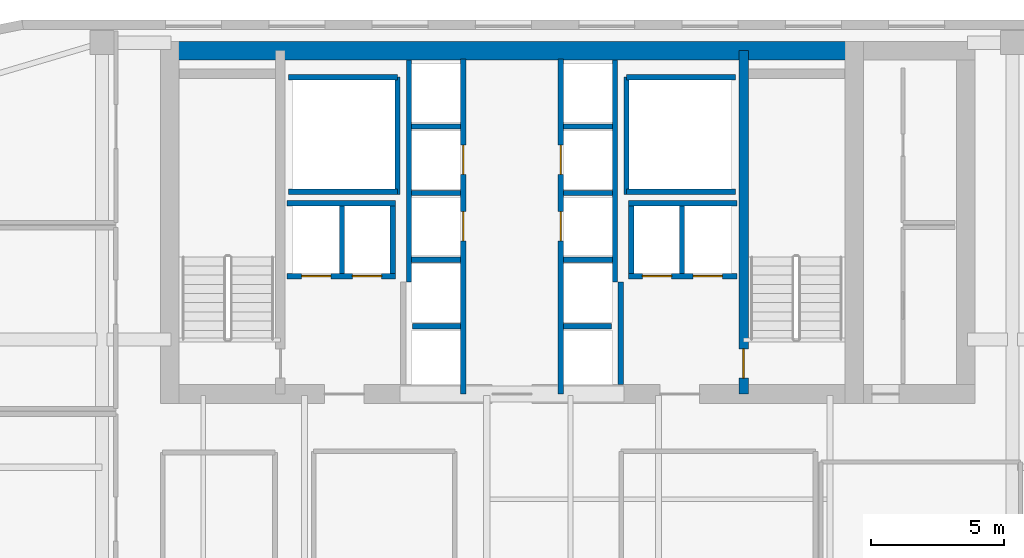
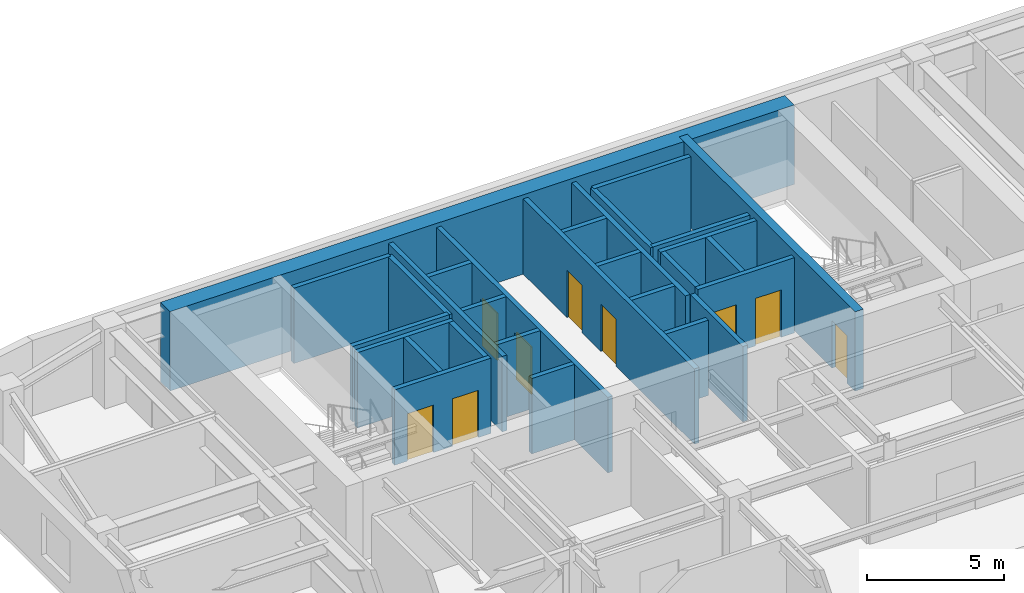
# One storey, part 14 of 17: 29 walls, 9 doors, 9 openings.
"""IFC4 building model written with IfcOpenShell, lengths in metres."""

from ifc_helpers import new_model, si_unit, direction, frame, frame_2d, origin, place, context, subcontext, project, spatial, rectangle, extrude, source, transform, mapped, material, layer, layer_set, type_object, type_shapes, element, fill, save


model = new_model("IFC4")

# Units and contexts
model_context = context("Model", 3, precision=1e-05, world=origin(), true_north=direction((0.0, 1.0)))
body_context = subcontext(model_context, "Body", "Model", "MODEL_VIEW")
ifc_project = project(units=[si_unit("LENGTHUNIT", "METRE"), si_unit("AREAUNIT", "SQUARE_METRE"), si_unit("VOLUMEUNIT", "CUBIC_METRE"), si_unit("PLANEANGLEUNIT", "RADIAN"), si_unit("MASSUNIT", "GRAM", prefix="KILO")], contexts=[model_context])

# Site, building, storey
site_placement = place(None, origin())
site = spatial("IfcSite", under=ifc_project, at=site_placement, CompositionType="ELEMENT")
building_placement = place(site_placement, origin())
building = spatial("IfcBuilding", under=site, at=building_placement, Name="Tolvann Quenvar Hotel", CompositionType="ELEMENT")
storey_placement = place(building_placement, frame((0.0, 0.0, 108.0)))
storey = spatial("IfcBuildingStorey", under=building, at=storey_placement, Name="L27", CompositionType="ELEMENT", Elevation=108.0)

# Wall
ifc_material_1 = material(Name="Concrete S65 (65 MPa)", Category="concrete")
ifc_layer_1 = layer(ifc_material_1, 0.699951171875)
ifc_layer_set_1 = layer_set([ifc_layer_1], Name="Concrete S65 (65 MPa)")
wall_type_1 = type_object("IfcWallType", Name="WALL_CORE_700", PredefinedType="SHEAR", material=ifc_layer_set_1)
wall_1_placement = place(storey_placement, frame((9.800048828125, 44.85009765625, 0.0), z_axis=(0.0, 0.0, 1.0), x_axis=(1.0, 0.0, 0.0)))
element("IfcWall", 1, at=wall_1_placement, inside=storey, type_object=wall_type_1, Name="Rear Core N Shear Wall (L27)", PredefinedType="SHEAR", context=body_context, shape_type="SweptSolid", body=[
    extrude(rectangle(XDim=26.39990234375, YDim=0.699951171875, at=frame_2d((13.199951171875, 0.0))), origin(), (0.0, 0.0, 1.0), 3.550048828125),
])

# Wall, opening, door
ifc_layer_2 = layer(ifc_material_1, 0.35009765625)
ifc_layer_set_2 = layer_set([ifc_layer_2], Name="Concrete S65 (65 MPa)")
wall_type_2 = type_object("IfcWallType", Name="WALL_CORE_INT_350", PredefinedType="SHEAR", material=ifc_layer_set_2)
wall_2_placement = place(storey_placement, frame((31.699951171875, 31.949951171875, 0.0), z_axis=(0.0, 0.0, 1.0), x_axis=(0.0, 1.0, 0.0)))
wall_2 = element("IfcWall", 2, at=wall_2_placement, inside=storey, type_object=wall_type_2, Name="Core Internal Web Shear Wall WEB-E (L27)", PredefinedType="SHEAR", context=body_context, shape_type="SweptSolid", body=[
    extrude(rectangle(XDim=12.900146484375, YDim=0.35009765625, at=frame_2d((6.4501953125, 0.0))), origin(), (0.0, 0.0, 1.0), 3.550048828125),
])
opening_1_placement = place(wall_2_placement, frame((1.7001953125, 0.0, 0.0), z_axis=(0.0, 0.0, 1.0), x_axis=(-1.0, 0.0, 0.0)))
opening_1 = element("IfcOpeningElement", 3, at=opening_1_placement, cuts=wall_2, Name="Opening FD-120", PredefinedType="OPENING", context=body_context, shape_type="SweptSolid", body=[
    extrude(rectangle(XDim=1.10009765625, YDim=2.1201171875, at=frame_2d((0.550048828125, 1.06005859375))), frame((0.0, 0.18505859375, 0.0), z_axis=(0.0, -1.0, 0.0), x_axis=(1.0, 0.0, 0.0)), (0.0, 0.0, 1.0), 0.3701171875),
])
ifc_material_2 = material(Name="Pressed galvanised steel fire-rated door set", Category="steel")
door_type_1 = type_object("IfcDoorType", Name="DOOR_FIRE_STAIR_1100", OperationType="NOTDEFINED", PredefinedType="DOOR", material=ifc_material_2)
shared_shape_1 = source(origin(), body_context, "Body", "SweptSolid", [
    extrude(rectangle(XDim=1.10009765625, YDim=2.1201171875, at=frame_2d((0.550048828125, 1.06005859375))), frame((0.0, 0.02490234375, 0.0), z_axis=(0.0, -1.0, 0.0), x_axis=(1.0, 0.0, 0.0)), (0.0, 0.0, 1.0), 0.050048828125),
])
type_shapes(door_type_1, [shared_shape_1])
door_1_placement = place(opening_1_placement, origin())
door_1 = element("IfcDoor", 4, at=door_1_placement, inside=storey, type_object=door_type_1, Name="Exit Stair ST-C2 Fire Door (L27)", OperationType="SINGLE_SWING_LEFT", OverallHeight=2.1201171875, OverallWidth=1.10009765625, PredefinedType="DOOR", context=body_context, shape_type="MappedRepresentation", body=[
    mapped(shared_shape_1, transform((0.0, 0.0, 0.0), x_axis=(1.0, 0.0, 0.0), y_axis=(0.0, 1.0, 0.0), z_axis=(0.0, 0.0, 1.0), scale=1.0)),
])
fill(opening_1, door_1)

# Walls
ifc_material_3 = material(Name="Concrete N40 (40 MPa)", Category="concrete")
ifc_layer_3 = layer(ifc_material_3, 0.199951171875)
ifc_layer_set_3 = layer_set([ifc_layer_3], Name="Concrete N40 (40 MPa)")
wall_type_3 = type_object("IfcWallType", Name="WALL_SHAFT_200", PredefinedType="SOLIDWALL", material=ifc_layer_set_3)
wall_3_placement = place(storey_placement, frame((18.699951171875, 39.449951171875, 0.0), z_axis=(0.0, 0.0, 1.0), x_axis=(0.0, 1.0, 0.0)))
element("IfcWall", 5, at=wall_3_placement, inside=storey, type_object=wall_type_3, Name="Service Riser W Shaft Wall IN (L27)", PredefinedType="SOLIDWALL", context=body_context, shape_type="SweptSolid", body=[
    extrude(rectangle(XDim=4.400146484375, YDim=0.199951171875, at=frame_2d((2.2001953125, 0.0))), origin(), (0.0, 0.0, 1.0), 3.3701171875),
])
for number, where, z_axis, x_axis, name in (
    (6, (14.60009765625, 39.550048828125, 0.0), (0.0, 0.0, 1.0), (1.0, 0.0, 0.0), "Service Riser W Shaft Wall S (L27)"),
    (7, (14.60009765625, 43.85009765625, 0.0), (0.0, 0.0, 1.0), (1.0, 0.0, 0.0), "Service Riser W Shaft Wall N (L27)"),
):
    element("IfcWall", number, at=place(storey_placement, frame(where, z_axis=z_axis, x_axis=x_axis)), inside=storey, type_object=wall_type_3, Name=name, PredefinedType="SOLIDWALL", context=body_context, shape_type="SweptSolid", body=[
        extrude(rectangle(XDim=4.099853515625, YDim=0.199951171875, at=frame_2d((2.0498046875, 0.0))), origin(), (0.0, 0.0, 1.0), 3.3701171875),
    ])
wall_4_placement = place(storey_placement, frame((27.300048828125, 39.449951171875, 0.0), z_axis=(0.0, 0.0, 1.0), x_axis=(0.0, 1.0, 0.0)))
element("IfcWall", 8, at=wall_4_placement, inside=storey, type_object=wall_type_3, Name="Service Riser E Shaft Wall IN (L27)", PredefinedType="SOLIDWALL", context=body_context, shape_type="SweptSolid", body=[
    extrude(rectangle(XDim=4.400146484375, YDim=0.199951171875, at=frame_2d((2.2001953125, 0.0))), origin(), (0.0, 0.0, 1.0), 3.3701171875),
])
for number, where, z_axis, x_axis, name in (
    (9, (27.300048828125, 39.550048828125, 0.0), (0.0, 0.0, 1.0), (1.0, 0.0, 0.0), "Service Riser E Shaft Wall S (L27)"),
    (10, (27.300048828125, 43.85009765625, 0.0), (0.0, 0.0, 1.0), (1.0, 0.0, 0.0), "Service Riser E Shaft Wall N (L27)"),
):
    element("IfcWall", number, at=place(storey_placement, frame(where, z_axis=z_axis, x_axis=x_axis)), inside=storey, type_object=wall_type_3, Name=name, PredefinedType="SOLIDWALL", context=body_context, shape_type="SweptSolid", body=[
        extrude(rectangle(XDim=4.099853515625, YDim=0.199951171875, at=frame_2d((2.0498046875, 0.0))), origin(), (0.0, 0.0, 1.0), 3.3701171875),
    ])
wall_5_placement = place(storey_placement, frame((27.080078125, 32.303955078125, 0.0), z_axis=(0.0, 0.0, 1.0), x_axis=(0.0, 1.0, 0.0)))
element("IfcWall", 11, at=wall_5_placement, inside=storey, type_object=wall_type_3, Name="Firefighting Lobby E Inner Fire Wall (L27)", PredefinedType="SOLIDWALL", context=body_context, shape_type="SweptSolid", body=[
    extrude(rectangle(XDim=3.845947265625, YDim=0.199951171875, at=frame_2d((1.9228515625, 0.0))), origin(), (0.0, 0.0, 1.0), 3.3701171875),
])

# Wall, openings, doors
wall_6_placement = place(storey_placement, frame((21.169921875, 31.9599609375, 0.0), z_axis=(0.0, 0.0, 1.0), x_axis=(0.0, 1.0, 0.0)))
wall_6 = element("IfcWall", 12, at=wall_6_placement, inside=storey, type_object=wall_type_3, Name="Lift Bank E21.1C1 Hoistway Front Wall (L27)", PredefinedType="SOLIDWALL", context=body_context, shape_type="SweptSolid", body=[
    extrude(rectangle(XDim=12.580078125, YDim=0.199951171875, at=frame_2d((6.2900390625, 0.0))), origin(), (0.0, 0.0, 1.0), 3.3701171875),
])
opening_2_placement = place(wall_6_placement, frame((5.739990234375, 0.0, 0.0)))
opening_2 = element("IfcOpeningElement", 13, at=opening_2_placement, cuts=wall_6, Name="Opening LD-01", PredefinedType="OPENING", context=body_context, shape_type="SweptSolid", body=[
    extrude(rectangle(XDim=1.10009765625, YDim=2.1201171875, at=frame_2d((0.550048828125, 1.06005859375))), frame((0.0, 0.10986328125, 0.0), z_axis=(0.0, -1.0, 0.0), x_axis=(1.0, 0.0, 0.0)), (0.0, 0.0, 1.0), 0.219970703125),
])
opening_3_placement = place(wall_6_placement, frame((8.239990234375, 0.0, 0.0)))
opening_3 = element("IfcOpeningElement", 14, at=opening_3_placement, cuts=wall_6, Name="Opening LD-01", PredefinedType="OPENING", context=body_context, shape_type="SweptSolid", body=[
    extrude(rectangle(XDim=1.10009765625, YDim=2.1201171875, at=frame_2d((0.550048828125, 1.06005859375))), frame((0.0, 0.10986328125, 0.0), z_axis=(0.0, -1.0, 0.0), x_axis=(1.0, 0.0, 0.0)), (0.0, 0.0, 1.0), 0.219970703125),
])
ifc_material_4 = material(Name="Brushed 316 stainless steel automatic sliding lift landing door", Category="steel")
door_type_2 = type_object("IfcDoorType", Name="DOOR_LIFT_SLIDE_1100", OperationType="NOTDEFINED", PredefinedType="DOOR", material=ifc_material_4)
shared_shape_2 = source(origin(), body_context, "Body", "SweptSolid", [
    extrude(rectangle(XDim=1.10009765625, YDim=2.1201171875, at=frame_2d((0.550048828125, 1.06005859375))), frame((0.0, 0.02490234375, 0.0), z_axis=(0.0, -1.0, 0.0), x_axis=(1.0, 0.0, 0.0)), (0.0, 0.0, 1.0), 0.050048828125),
])
type_shapes(door_type_2, [shared_shape_2])
door_2_placement = place(opening_2_placement, origin())
door_2 = element("IfcDoor", 15, at=door_2_placement, inside=storey, type_object=door_type_2, Name="Lift PM-1 Sliding Landing Door (L27)", OperationType="SLIDING_TO_RIGHT", OverallHeight=2.1201171875, OverallWidth=1.10009765625, PredefinedType="DOOR", context=body_context, shape_type="MappedRepresentation", body=[
    mapped(shared_shape_2, transform((0.0, 0.0, 0.0), x_axis=(1.0, 0.0, 0.0), y_axis=(0.0, 1.0, 0.0), z_axis=(0.0, 0.0, 1.0), scale=1.0)),
])
fill(opening_2, door_2)
door_3_placement = place(opening_3_placement, origin())
door_3 = element("IfcDoor", 16, at=door_3_placement, inside=storey, type_object=door_type_2, Name="Lift PM-2 Sliding Landing Door (L27)", OperationType="SLIDING_TO_LEFT", OverallHeight=2.1201171875, OverallWidth=1.10009765625, PredefinedType="DOOR", context=body_context, shape_type="MappedRepresentation", body=[
    mapped(shared_shape_2, transform((0.0, 0.0, 0.0), x_axis=(1.0, 0.0, 0.0), y_axis=(0.0, 1.0, 0.0), z_axis=(0.0, 0.0, 1.0), scale=1.0)),
])
fill(opening_3, door_3)

# Walls
wall_7_placement = place(storey_placement, frame((19.1298828125, 36.159912109375, 0.0), z_axis=(0.0, 0.0, 1.0), x_axis=(0.0, 1.0, 0.0)))
element("IfcWall", 17, at=wall_7_placement, inside=storey, type_object=wall_type_3, Name="Lift Bank E21.1C1 Hoistway Rear Wall (L27)", PredefinedType="SOLIDWALL", context=body_context, shape_type="SweptSolid", body=[
    extrude(rectangle(XDim=8.336181640625, YDim=0.199951171875, at=frame_2d((4.16796875, 0.0))), origin(), (0.0, 0.0, 1.0), 3.3701171875),
])
wall_8_placement = place(storey_placement, frame((19.27001953125, 34.5, 0.0), z_axis=(0.0, 0.0, 1.0), x_axis=(1.0, 0.0, 0.0)))
element("IfcWall", 18, at=wall_8_placement, inside=storey, type_object=wall_type_3, Name="Lift Bank E21.1C1 Divider Wall 1 (L27)", PredefinedType="SOLIDWALL", context=body_context, shape_type="SweptSolid", body=[
    extrude(rectangle(XDim=1.800048828125, YDim=0.199951171875, at=frame_2d((0.89990234375, 0.0))), origin(), (0.0, 0.0, 1.0), 3.3701171875),
])
for number, where, z_axis, x_axis, name in (
    (19, (19.22998046875, 37.0, 0.0), (0.0, 0.0, 1.0), (1.0, 0.0, 0.0), "Lift Bank E21.1C1 Divider Wall 2 (L27)"),
    (20, (19.22998046875, 39.5, 0.0), (0.0, 0.0, 1.0), (1.0, 0.0, 0.0), "Lift Bank E21.1C1 Divider Wall 3 (L27)"),
    (21, (19.22998046875, 42.0, 0.0), (0.0, 0.0, 1.0), (1.0, 0.0, 0.0), "Lift Bank E21.1C1 Divider Wall 4 (L27)"),
):
    element("IfcWall", number, at=place(storey_placement, frame(where, z_axis=z_axis, x_axis=x_axis)), inside=storey, type_object=wall_type_3, Name=name, PredefinedType="SOLIDWALL", context=body_context, shape_type="SweptSolid", body=[
        extrude(rectangle(XDim=1.840087890625, YDim=0.199951171875, at=frame_2d((0.919921875, 0.0))), origin(), (0.0, 0.0, 1.0), 3.3701171875),
    ])

# Wall, openings, doors
wall_9_placement = place(storey_placement, frame((27.375, 36.3798828125, 0.0), z_axis=(0.0, 0.0, 1.0), x_axis=(1.0, 0.0, 0.0)))
wall_9 = element("IfcWall", 22, at=wall_9_placement, inside=storey, type_object=wall_type_3, Name="Lift Bank SEC1 Hoistway Front Wall (L27)", PredefinedType="SOLIDWALL", context=body_context, shape_type="SweptSolid", body=[
    extrude(rectangle(XDim=4.074951171875, YDim=0.199951171875, at=frame_2d((2.03759765625, 0.0))), origin(), (0.0, 0.0, 1.0), 3.3701171875),
])
opening_4_placement = place(wall_9_placement, frame((0.52490234375, 0.0, 0.0)))
opening_4 = element("IfcOpeningElement", 23, at=opening_4_placement, cuts=wall_9, Name="Opening LD-01", PredefinedType="OPENING", context=body_context, shape_type="SweptSolid", body=[
    extrude(rectangle(XDim=1.10009765625, YDim=2.1201171875, at=frame_2d((0.550048828125, 1.06005859375))), frame((0.0, 0.10986328125, 0.0), z_axis=(0.0, -1.0, 0.0), x_axis=(1.0, 0.0, 0.0)), (0.0, 0.0, 1.0), 0.219970703125),
])
opening_5_placement = place(wall_9_placement, frame((2.425048828125, 0.0, 0.0)))
opening_5 = element("IfcOpeningElement", 24, at=opening_5_placement, cuts=wall_9, Name="Opening LD-01", PredefinedType="OPENING", context=body_context, shape_type="SweptSolid", body=[
    extrude(rectangle(XDim=1.10009765625, YDim=2.1201171875, at=frame_2d((0.550048828125, 1.06005859375))), frame((0.0, 0.10986328125, 0.0), z_axis=(0.0, -1.0, 0.0), x_axis=(1.0, 0.0, 0.0)), (0.0, 0.0, 1.0), 0.219970703125),
])
door_4_placement = place(opening_4_placement, origin())
door_4 = element("IfcDoor", 25, at=door_4_placement, inside=storey, type_object=door_type_2, Name="Lift SV-2 Sliding Landing Door (L27)", OperationType="SLIDING_TO_LEFT", OverallHeight=2.1201171875, OverallWidth=1.10009765625, PredefinedType="DOOR", context=body_context, shape_type="MappedRepresentation", body=[
    mapped(shared_shape_2, transform((0.0, 0.0, 0.0), x_axis=(1.0, 0.0, 0.0), y_axis=(0.0, 1.0, 0.0), z_axis=(0.0, 0.0, 1.0), scale=1.0)),
])
fill(opening_4, door_4)
door_5_placement = place(opening_5_placement, origin())
door_5 = element("IfcDoor", 26, at=door_5_placement, inside=storey, type_object=door_type_2, Name="Lift FF-2 Sliding Landing Door (L27)", OperationType="SLIDING_TO_RIGHT", OverallHeight=2.1201171875, OverallWidth=1.10009765625, PredefinedType="DOOR", context=body_context, shape_type="MappedRepresentation", body=[
    mapped(shared_shape_2, transform((0.0, 0.0, 0.0), x_axis=(1.0, 0.0, 0.0), y_axis=(0.0, 1.0, 0.0), z_axis=(0.0, 0.0, 1.0), scale=1.0)),
])
fill(opening_5, door_5)

# Walls
wall_10_placement = place(storey_placement, frame((27.375, 39.1201171875, 0.0), z_axis=(0.0, 0.0, 1.0), x_axis=(1.0, 0.0, 0.0)))
element("IfcWall", 27, at=wall_10_placement, inside=storey, type_object=wall_type_3, Name="Lift Bank SEC1 Hoistway Rear Wall (L27)", PredefinedType="SOLIDWALL", context=body_context, shape_type="SweptSolid", body=[
    extrude(rectangle(XDim=4.074951171875, YDim=0.199951171875, at=frame_2d((2.03759765625, 0.0))), origin(), (0.0, 0.0, 1.0), 3.3701171875),
])
for number, where, z_axis, x_axis, name in (
    (28, (27.47509765625, 36.47998046875, 0.0), (0.0, 0.0, 1.0), (0.0, 1.0, 0.0), "Lift Bank SEC1 Hoistway Cheek Wall 1 (L27)"),
    (29, (29.387451171875, 36.47998046875, 0.0), (0.0, 0.0, 1.0), (0.0, 1.0, 0.0), "Lift Bank SEC1 Divider Wall 1 (L27)"),
):
    element("IfcWall", number, at=place(storey_placement, frame(where, z_axis=z_axis, x_axis=x_axis)), inside=storey, type_object=wall_type_3, Name=name, PredefinedType="SOLIDWALL", context=body_context, shape_type="SweptSolid", body=[
        extrude(rectangle(XDim=2.5400390625, YDim=0.199951171875, at=frame_2d((1.27001953125, 0.0))), origin(), (0.0, 0.0, 1.0), 3.3701171875),
    ])

# Wall, openings, doors
wall_11_placement = place(storey_placement, frame((14.550048828125, 36.3798828125, 0.0), z_axis=(0.0, 0.0, 1.0), x_axis=(1.0, 0.0, 0.0)))
wall_11 = element("IfcWall", 30, at=wall_11_placement, inside=storey, type_object=wall_type_3, Name="Lift Bank SWC1 Hoistway Front Wall (L27)", PredefinedType="SOLIDWALL", context=body_context, shape_type="SweptSolid", body=[
    extrude(rectangle(XDim=4.074951171875, YDim=0.199951171875, at=frame_2d((2.03759765625, 0.0))), origin(), (0.0, 0.0, 1.0), 3.3701171875),
])
opening_6_placement = place(wall_11_placement, frame((0.550048828125, 0.0, 0.0)))
opening_6 = element("IfcOpeningElement", 31, at=opening_6_placement, cuts=wall_11, Name="Opening LD-01", PredefinedType="OPENING", context=body_context, shape_type="SweptSolid", body=[
    extrude(rectangle(XDim=1.10009765625, YDim=2.1201171875, at=frame_2d((0.550048828125, 1.06005859375))), frame((0.0, 0.10986328125, 0.0), z_axis=(0.0, -1.0, 0.0), x_axis=(1.0, 0.0, 0.0)), (0.0, 0.0, 1.0), 0.219970703125),
])
opening_7_placement = place(wall_11_placement, frame((2.449951171875, 0.0, 0.0)))
opening_7 = element("IfcOpeningElement", 32, at=opening_7_placement, cuts=wall_11, Name="Opening LD-01", PredefinedType="OPENING", context=body_context, shape_type="SweptSolid", body=[
    extrude(rectangle(XDim=1.10009765625, YDim=2.1201171875, at=frame_2d((0.550048828125, 1.06005859375))), frame((0.0, 0.10986328125, 0.0), z_axis=(0.0, -1.0, 0.0), x_axis=(1.0, 0.0, 0.0)), (0.0, 0.0, 1.0), 0.219970703125),
])
door_6_placement = place(opening_6_placement, origin())
door_6 = element("IfcDoor", 33, at=door_6_placement, inside=storey, type_object=door_type_2, Name="Lift FF-1 Sliding Landing Door (L27)", OperationType="SLIDING_TO_LEFT", OverallHeight=2.1201171875, OverallWidth=1.10009765625, PredefinedType="DOOR", context=body_context, shape_type="MappedRepresentation", body=[
    mapped(shared_shape_2, transform((0.0, 0.0, 0.0), x_axis=(1.0, 0.0, 0.0), y_axis=(0.0, 1.0, 0.0), z_axis=(0.0, 0.0, 1.0), scale=1.0)),
])
fill(opening_6, door_6)
door_7_placement = place(opening_7_placement, origin())
door_7 = element("IfcDoor", 34, at=door_7_placement, inside=storey, type_object=door_type_2, Name="Lift SV-1 Sliding Landing Door (L27)", OperationType="SLIDING_TO_RIGHT", OverallHeight=2.1201171875, OverallWidth=1.10009765625, PredefinedType="DOOR", context=body_context, shape_type="MappedRepresentation", body=[
    mapped(shared_shape_2, transform((0.0, 0.0, 0.0), x_axis=(1.0, 0.0, 0.0), y_axis=(0.0, 1.0, 0.0), z_axis=(0.0, 0.0, 1.0), scale=1.0)),
])
fill(opening_7, door_7)

# Walls
wall_12_placement = place(storey_placement, frame((14.550048828125, 39.1201171875, 0.0), z_axis=(0.0, 0.0, 1.0), x_axis=(1.0, 0.0, 0.0)))
element("IfcWall", 35, at=wall_12_placement, inside=storey, type_object=wall_type_3, Name="Lift Bank SWC1 Hoistway Rear Wall (L27)", PredefinedType="SOLIDWALL", context=body_context, shape_type="SweptSolid", body=[
    extrude(rectangle(XDim=4.074951171875, YDim=0.199951171875, at=frame_2d((2.03759765625, 0.0))), origin(), (0.0, 0.0, 1.0), 3.3701171875),
])
for number, where, z_axis, x_axis, name in (
    (36, (18.52490234375, 36.47998046875, 0.0), (0.0, 0.0, 1.0), (0.0, 1.0, 0.0), "Lift Bank SWC1 Hoistway Cheek Wall 2 (L27)"),
    (37, (16.612548828125, 36.47998046875, 0.0), (0.0, 0.0, 1.0), (0.0, 1.0, 0.0), "Lift Bank SWC1 Divider Wall 1 (L27)"),
):
    element("IfcWall", number, at=place(storey_placement, frame(where, z_axis=z_axis, x_axis=x_axis)), inside=storey, type_object=wall_type_3, Name=name, PredefinedType="SOLIDWALL", context=body_context, shape_type="SweptSolid", body=[
        extrude(rectangle(XDim=2.5400390625, YDim=0.199951171875, at=frame_2d((1.27001953125, 0.0))), origin(), (0.0, 0.0, 1.0), 3.3701171875),
    ])

# Wall, openings, doors
wall_13_placement = place(storey_placement, frame((24.830078125, 31.9599609375, 0.0), z_axis=(0.0, 0.0, 1.0), x_axis=(0.0, 1.0, 0.0)))
wall_13 = element("IfcWall", 38, at=wall_13_placement, inside=storey, type_object=wall_type_3, Name="Lift Bank W24.9C1 Hoistway Front Wall (L27)", PredefinedType="SOLIDWALL", context=body_context, shape_type="SweptSolid", body=[
    extrude(rectangle(XDim=12.580078125, YDim=0.199951171875, at=frame_2d((6.2900390625, 0.0))), origin(), (0.0, 0.0, 1.0), 3.3701171875),
])
opening_8_placement = place(wall_13_placement, frame((5.739990234375, 0.0, 0.0)))
opening_8 = element("IfcOpeningElement", 39, at=opening_8_placement, cuts=wall_13, Name="Opening LD-01", PredefinedType="OPENING", context=body_context, shape_type="SweptSolid", body=[
    extrude(rectangle(XDim=1.10009765625, YDim=2.1201171875, at=frame_2d((0.550048828125, 1.06005859375))), frame((0.0, 0.10986328125, 0.0), z_axis=(0.0, -1.0, 0.0), x_axis=(1.0, 0.0, 0.0)), (0.0, 0.0, 1.0), 0.219970703125),
])
opening_9_placement = place(wall_13_placement, frame((8.239990234375, 0.0, 0.0)))
opening_9 = element("IfcOpeningElement", 40, at=opening_9_placement, cuts=wall_13, Name="Opening LD-01", PredefinedType="OPENING", context=body_context, shape_type="SweptSolid", body=[
    extrude(rectangle(XDim=1.10009765625, YDim=2.1201171875, at=frame_2d((0.550048828125, 1.06005859375))), frame((0.0, 0.10986328125, 0.0), z_axis=(0.0, -1.0, 0.0), x_axis=(1.0, 0.0, 0.0)), (0.0, 0.0, 1.0), 0.219970703125),
])
door_8_placement = place(opening_8_placement, origin())
door_8 = element("IfcDoor", 41, at=door_8_placement, inside=storey, type_object=door_type_2, Name="Lift PM-3 Sliding Landing Door (L27)", OperationType="SLIDING_TO_RIGHT", OverallHeight=2.1201171875, OverallWidth=1.10009765625, PredefinedType="DOOR", context=body_context, shape_type="MappedRepresentation", body=[
    mapped(shared_shape_2, transform((0.0, 0.0, 0.0), x_axis=(1.0, 0.0, 0.0), y_axis=(0.0, 1.0, 0.0), z_axis=(0.0, 0.0, 1.0), scale=1.0)),
])
fill(opening_8, door_8)
door_9_placement = place(opening_9_placement, origin())
door_9 = element("IfcDoor", 42, at=door_9_placement, inside=storey, type_object=door_type_2, Name="Lift PM-4 Sliding Landing Door (L27)", OperationType="SLIDING_TO_LEFT", OverallHeight=2.1201171875, OverallWidth=1.10009765625, PredefinedType="DOOR", context=body_context, shape_type="MappedRepresentation", body=[
    mapped(shared_shape_2, transform((0.0, 0.0, 0.0), x_axis=(1.0, 0.0, 0.0), y_axis=(0.0, 1.0, 0.0), z_axis=(0.0, 0.0, 1.0), scale=1.0)),
])
fill(opening_9, door_9)

# Walls
wall_14_placement = place(storey_placement, frame((26.8701171875, 36.159912109375, 0.0), z_axis=(0.0, 0.0, 1.0), x_axis=(0.0, 1.0, 0.0)))
element("IfcWall", 43, at=wall_14_placement, inside=storey, type_object=wall_type_3, Name="Lift Bank W24.9C1 Hoistway Rear Wall (L27)", PredefinedType="SOLIDWALL", context=body_context, shape_type="SweptSolid", body=[
    extrude(rectangle(XDim=8.336181640625, YDim=0.199951171875, at=frame_2d((4.16796875, 0.0))), origin(), (0.0, 0.0, 1.0), 3.3701171875),
])
wall_15_placement = place(storey_placement, frame((24.929931640625, 34.5, 0.0), z_axis=(0.0, 0.0, 1.0), x_axis=(1.0, 0.0, 0.0)))
element("IfcWall", 44, at=wall_15_placement, inside=storey, type_object=wall_type_3, Name="Lift Bank W24.9C1 Divider Wall 1 (L27)", PredefinedType="SOLIDWALL", context=body_context, shape_type="SweptSolid", body=[
    extrude(rectangle(XDim=1.800048828125, YDim=0.199951171875, at=frame_2d((0.89990234375, 0.0))), origin(), (0.0, 0.0, 1.0), 3.3701171875),
])
for number, where, z_axis, x_axis, name in (
    (45, (24.929931640625, 37.0, 0.0), (0.0, 0.0, 1.0), (1.0, 0.0, 0.0), "Lift Bank W24.9C1 Divider Wall 2 (L27)"),
    (46, (24.929931640625, 39.5, 0.0), (0.0, 0.0, 1.0), (1.0, 0.0, 0.0), "Lift Bank W24.9C1 Divider Wall 3 (L27)"),
    (47, (24.929931640625, 42.0, 0.0), (0.0, 0.0, 1.0), (1.0, 0.0, 0.0), "Lift Bank W24.9C1 Divider Wall 4 (L27)"),
):
    element("IfcWall", number, at=place(storey_placement, frame(where, z_axis=z_axis, x_axis=x_axis)), inside=storey, type_object=wall_type_3, Name=name, PredefinedType="SOLIDWALL", context=body_context, shape_type="SweptSolid", body=[
        extrude(rectangle(XDim=1.840087890625, YDim=0.199951171875, at=frame_2d((0.919921875, 0.0))), origin(), (0.0, 0.0, 1.0), 3.3701171875),
    ])

save(model, "model.ifc")
